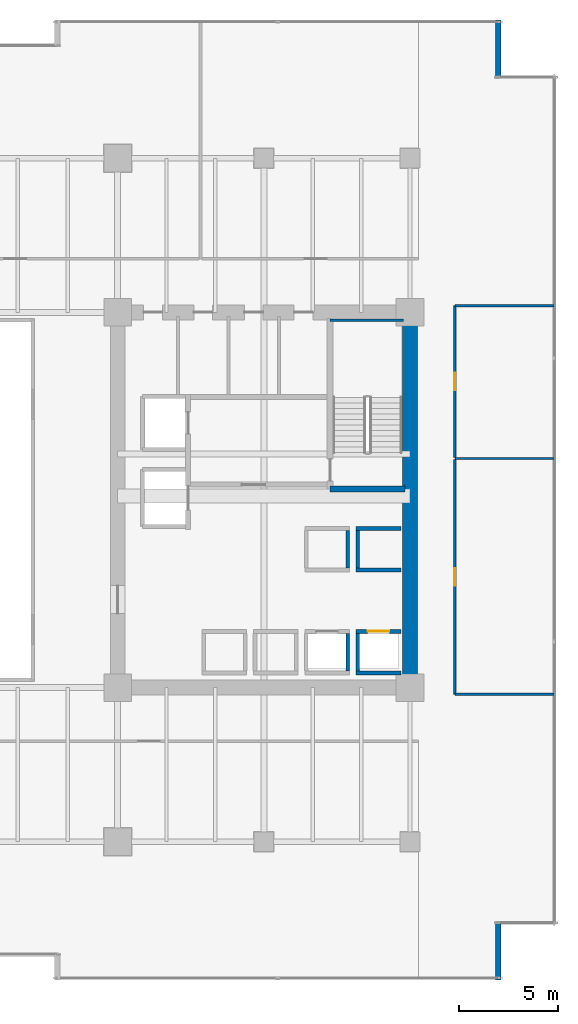
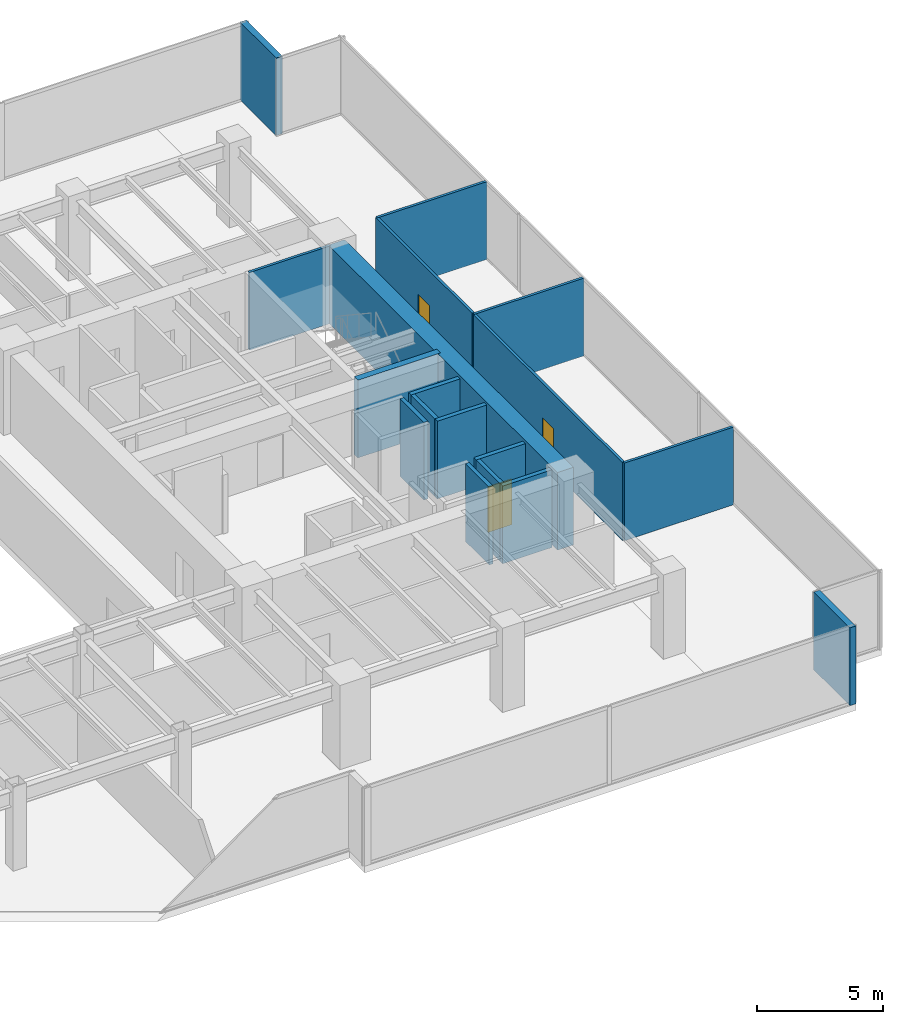
# One storey, part 32 of 36: 18 walls, 3 doors, 3 openings.
"""IFC4 building model written with IfcOpenShell, lengths in metres."""

from ifc_helpers import new_model, si_unit, direction, frame, frame_2d, origin, place, context, subcontext, project, spatial, rectangle, extrude, source, transform, mapped, material, layer, layer_set, type_object, type_shapes, element, fill, save


model = new_model("IFC4")

# Units and contexts
model_context = context("Model", 3, precision=1e-05, world=origin(), true_north=direction((0.0, 1.0)))
body_context = subcontext(model_context, "Body", "Model", "MODEL_VIEW")
ifc_project = project(units=[si_unit("LENGTHUNIT", "METRE"), si_unit("AREAUNIT", "SQUARE_METRE"), si_unit("VOLUMEUNIT", "CUBIC_METRE"), si_unit("PLANEANGLEUNIT", "RADIAN"), si_unit("MASSUNIT", "GRAM", prefix="KILO")], contexts=[model_context])

# Site, building, storey
site_placement = place(None, origin())
site = spatial("IfcSite", under=ifc_project, at=site_placement, CompositionType="ELEMENT")
building_placement = place(site_placement, origin())
building = spatial("IfcBuilding", under=site, at=building_placement, Name="Haelvirn Gate Laboratories", CompositionType="ELEMENT")
storey_placement = place(building_placement, frame((0.0, 0.0, 49.800048828125)))
storey = spatial("IfcBuildingStorey", under=building, at=storey_placement, Name="L12", CompositionType="ELEMENT", Elevation=49.800048828125)

# Walls
ifc_material_1 = material(Name="Thermally-broken bronze aluminium rainscreen & mineral wool", Category="aluminium")
ifc_layer_1 = layer(ifc_material_1, 0.280029296875, Name="EW-TERR-280")
ifc_layer_set_1 = layer_set([ifc_layer_1], Name="Thermally-broken bronze aluminium rainscreen & mineral wool")
wall_type_1 = type_object("IfcWallType", Name="EW-TERR-280", PredefinedType="STANDARD", material=ifc_layer_set_1)
wall_1_placement = place(storey_placement, frame((71.860107421875, 0.0, 0.0), z_axis=(0.0, 0.0, 1.0), x_axis=(0.0, 1.0, 0.0)))
element("IfcWall", 1, at=wall_1_placement, inside=storey, type_object=wall_type_1, Name="L12 Atrium Recess Bronze Return Wall 05", PredefinedType="STANDARD", context=body_context, shape_type="SweptSolid", body=[
    extrude(rectangle(XDim=2.887939453125, YDim=0.280029296875, at=frame_2d((1.44384765625, 0.0))), origin(), (0.0, 0.0, 1.0), 3.780029296875),
])
wall_2_placement = place(storey_placement, frame((71.860107421875, 45.7119140625, 0.0), z_axis=(0.0, 0.0, 1.0), x_axis=(0.0, 1.0, 0.0)))
element("IfcWall", 2, at=wall_2_placement, inside=storey, type_object=wall_type_1, Name="L12 Atrium Recess Bronze Return Wall 09", PredefinedType="STANDARD", context=body_context, shape_type="SweptSolid", body=[
    extrude(rectangle(XDim=2.88818359375, YDim=0.280029296875, at=frame_2d((1.444091796875, 0.0))), origin(), (0.0, 0.0, 1.0), 3.780029296875),
])
ifc_material_2 = material(Name="Lightweight acoustic gypsum board partition", Category="gypsum")
ifc_layer_2 = layer(ifc_material_2, 0.1201171875, Name="IW-PART-120")
ifc_layer_set_2 = layer_set([ifc_layer_2], Name="Lightweight acoustic gypsum board partition")
wall_type_2 = type_object("IfcWallType", Name="IW-PART-120", PredefinedType="PARTITIONING", material=ifc_layer_set_2)
for number, where, z_axis, x_axis, name in (
    (3, (69.669921875, 14.465087890625, 0.0), (0.0, 0.0, 1.0), (1.0, 0.0, 0.0), "L12 Interior Wall IW-L12-ECAP-S"),
    (4, (69.669921875, 34.135009765625, 0.0), (0.0, 0.0, 1.0), (1.0, 0.0, 0.0), "L12 Interior Wall IW-L12-ECAP-N"),
):
    element("IfcWall", number, at=place(storey_placement, frame(where, z_axis=z_axis, x_axis=x_axis)), inside=storey, type_object=wall_type_2, Name=name, PredefinedType="PARTITIONING", context=body_context, shape_type="SweptSolid", body=[
        extrude(rectangle(XDim=5.02001953125, YDim=0.1201171875, at=frame_2d((2.510009765625, 0.0))), origin(), (0.0, 0.0, 1.0), 3.780029296875),
    ])

# Wall, opening, door
wall_3_placement = place(storey_placement, frame((69.669921875, 14.465087890625, 0.0), z_axis=(0.0, 0.0, 1.0), x_axis=(0.0, 1.0, 0.0)))
wall_3 = element("IfcWall", 5, at=wall_3_placement, inside=storey, type_object=wall_type_2, Name="L12 Interior Wall IW-L12-EPASS-01", PredefinedType="PARTITIONING", context=body_context, shape_type="SweptSolid", body=[
    extrude(rectangle(XDim=11.875, YDim=0.1201171875, at=frame_2d((5.9375, 0.0))), origin(), (0.0, 0.0, 1.0), 3.780029296875),
])
opening_1_placement = place(wall_3_placement, frame((5.487548828125, 0.0, 0.0)))
opening_1 = element("IfcOpeningElement", 6, at=opening_1_placement, cuts=wall_3, Name="Opening D4", PredefinedType="OPENING", context=body_context, shape_type="SweptSolid", body=[
    extrude(rectangle(XDim=0.89990234375, YDim=2.10009765625, at=frame_2d((0.449951171875, 1.050048828125))), frame((0.0, 0.070068359375, 0.0), z_axis=(0.0, -1.0, 0.0), x_axis=(1.0, 0.0, 0.0)), (0.0, 0.0, 1.0), 0.14013671875),
])
ifc_material_3 = material(Name="Glazed aluminium-framed write-up door", Category="aluminium")
door_type_1 = type_object("IfcDoorType", Name="DR-OFF-900", OperationType="NOTDEFINED", PredefinedType="DOOR", material=ifc_material_3)
shared_shape_1 = source(origin(), body_context, "Body", "SweptSolid", [
    extrude(rectangle(XDim=0.89990234375, YDim=2.10009765625, at=frame_2d((0.449951171875, 1.050048828125))), frame((0.0, 0.02490234375, 0.0), z_axis=(0.0, -1.0, 0.0), x_axis=(1.0, 0.0, 0.0)), (0.0, 0.0, 1.0), 0.050048828125),
])
type_shapes(door_type_1, [shared_shape_1])
door_1_placement = place(opening_1_placement, origin())
door_1 = element("IfcDoor", 7, at=door_1_placement, inside=storey, type_object=door_type_1, Name="L12 Proteomics Mass-Spec Laboratory Door E1", OperationType="SINGLE_SWING_LEFT", OverallHeight=2.10009765625, OverallWidth=0.89990234375, PredefinedType="DOOR", context=body_context, shape_type="MappedRepresentation", body=[
    mapped(shared_shape_1, transform((0.0, 0.0, 0.0), scale=1.0)),
])
fill(opening_1, door_1)

# Wall
wall_4_placement = place(storey_placement, frame((69.669921875, 26.39990234375, 0.0), z_axis=(0.0, 0.0, 1.0), x_axis=(1.0, 0.0, 0.0)))
element("IfcWall", 8, at=wall_4_placement, inside=storey, type_object=wall_type_2, Name="L12 Interior Wall IW-L12-EDIV-01", PredefinedType="PARTITIONING", context=body_context, shape_type="SweptSolid", body=[
    extrude(rectangle(XDim=5.02001953125, YDim=0.1201171875, at=frame_2d((2.510009765625, 0.0))), origin(), (0.0, 0.0, 1.0), 3.780029296875),
])

# Wall, opening, door
wall_5_placement = place(storey_placement, frame((69.669921875, 26.4599609375, 0.0), z_axis=(0.0, 0.0, 1.0), x_axis=(0.0, 1.0, 0.0)))
wall_5 = element("IfcWall", 9, at=wall_5_placement, inside=storey, type_object=wall_type_2, Name="L12 Interior Wall IW-L12-EPASS-02", PredefinedType="PARTITIONING", context=body_context, shape_type="SweptSolid", body=[
    extrude(rectangle(XDim=7.675048828125, YDim=0.1201171875, at=frame_2d((3.83740234375, 0.0))), origin(), (0.0, 0.0, 1.0), 3.780029296875),
])
opening_2_placement = place(wall_5_placement, frame((3.387451171875, 0.0, 0.0)))
opening_2 = element("IfcOpeningElement", 10, at=opening_2_placement, cuts=wall_5, Name="Opening D4", PredefinedType="OPENING", context=body_context, shape_type="SweptSolid", body=[
    extrude(rectangle(XDim=0.89990234375, YDim=2.10009765625, at=frame_2d((0.449951171875, 1.050048828125))), frame((0.0, 0.070068359375, 0.0), z_axis=(0.0, -1.0, 0.0), x_axis=(1.0, 0.0, 0.0)), (0.0, 0.0, 1.0), 0.14013671875),
])
door_2_placement = place(opening_2_placement, origin())
door_2 = element("IfcDoor", 11, at=door_2_placement, inside=storey, type_object=door_type_1, Name="L12 Chemical Synthesis Laboratory Door E2", OperationType="SINGLE_SWING_RIGHT", OverallHeight=2.10009765625, OverallWidth=0.89990234375, PredefinedType="DOOR", context=body_context, shape_type="MappedRepresentation", body=[
    mapped(shared_shape_1, transform((0.0, 0.0, 0.0), scale=1.0)),
])
fill(opening_2, door_2)

# Walls
ifc_material_4 = material(Name="Concrete C40/50", Category="concrete")
ifc_layer_3 = layer(ifc_material_4, 0.179931640625, Name="IW-SHAFT-180")
ifc_layer_set_3 = layer_set([ifc_layer_3], Name="Concrete C40/50")
wall_type_3 = type_object("IfcWallType", Name="IW-SHAFT-180", PredefinedType="SOLIDWALL", material=ifc_layer_set_3)
for number, where, z_axis, x_axis, name in (
    (12, (64.75, 15.64990234375, 0.0), (0.0, 0.0, 1.0), (0.0, 1.0, 0.0), "L12 Interior Wall IW-L12-PL3-SD"),
    (13, (64.25, 15.64990234375, 0.0), (0.0, 0.0, 1.0), (0.0, 1.0, 0.0), "L12 Interior Wall IW-L12-PL4-SDE"),
):
    element("IfcWall", number, at=place(storey_placement, frame(where, z_axis=z_axis, x_axis=x_axis)), inside=storey, type_object=wall_type_3, Name=name, PredefinedType="SOLIDWALL", context=body_context, shape_type="SweptSolid", body=[
        extrude(rectangle(XDim=1.900146484375, YDim=0.179931640625, at=frame_2d((0.9501953125, 0.0))), origin(), (0.0, 0.0, 1.0), 3.780029296875),
    ])
for number, where, z_axis, x_axis, name in (
    (14, (64.75, 20.85009765625, 0.0), (0.0, 0.0, 1.0), (0.0, 1.0, 0.0), "L12 Interior Wall IW-L12-PL11-SD"),
    (15, (64.25, 20.85009765625, 0.0), (0.0, 0.0, 1.0), (0.0, 1.0, 0.0), "L12 Interior Wall IW-L12-PL12-SDE"),
):
    element("IfcWall", number, at=place(storey_placement, frame(where, z_axis=z_axis, x_axis=x_axis)), inside=storey, type_object=wall_type_3, Name=name, PredefinedType="SOLIDWALL", context=body_context, shape_type="SweptSolid", body=[
        extrude(rectangle(XDim=1.89990234375, YDim=0.179931640625, at=frame_2d((0.949951171875, 0.0))), origin(), (0.0, 0.0, 1.0), 3.780029296875),
    ])

# Wall, opening, door
ifc_layer_4 = layer(ifc_material_4, 0.199951171875, Name="IW-SHAFT-200")
ifc_layer_set_4 = layer_set([ifc_layer_4], Name="Concrete C40/50")
wall_type_4 = type_object("IfcWallType", Name="IW-SHAFT-200", PredefinedType="SOLIDWALL", material=ifc_layer_set_4)
wall_6_placement = place(storey_placement, frame((64.669921875, 17.64990234375, 0.0), z_axis=(0.0, 0.0, 1.0), x_axis=(1.0, 0.0, 0.0)))
wall_6 = element("IfcWall", 16, at=wall_6_placement, inside=storey, type_object=wall_type_4, Name="L12 Interior Wall IW-L12-PL3-FR", PredefinedType="SOLIDWALL", context=body_context, shape_type="SweptSolid", body=[
    extrude(rectangle(XDim=2.260009765625, YDim=0.199951171875, at=frame_2d((1.1298828125, 0.0))), origin(), (0.0, 0.0, 1.0), 3.780029296875),
])
opening_3_placement = place(wall_6_placement, frame((0.580078125, 0.0, 0.0)))
opening_3 = element("IfcOpeningElement", 17, at=opening_3_placement, cuts=wall_6, Name="Opening LD2", PredefinedType="OPENING", context=body_context, shape_type="SweptSolid", body=[
    extrude(rectangle(XDim=1.10009765625, YDim=2.219970703125, at=frame_2d((0.550048828125, 1.10986328125))), frame((0.0, 0.10986328125, 0.0), z_axis=(0.0, -1.0, 0.0), x_axis=(1.0, 0.0, 0.0)), (0.0, 0.0, 1.0), 0.219970703125),
])
ifc_material_5 = material(Name="Bronze stainless 316L sliding lift landing door")
door_type_2 = type_object("IfcDoorType", Name="DR-LD-1100", OperationType="NOTDEFINED", PredefinedType="USERDEFINED", material=ifc_material_5)
shared_shape_2 = source(origin(), body_context, "Body", "SweptSolid", [
    extrude(rectangle(XDim=1.10009765625, YDim=2.219970703125, at=frame_2d((0.550048828125, 1.10986328125))), frame((0.0, 0.02490234375, 0.0), z_axis=(0.0, -1.0, 0.0), x_axis=(1.0, 0.0, 0.0)), (0.0, 0.0, 1.0), 0.050048828125),
])
type_shapes(door_type_2, [shared_shape_2])
door_3_placement = place(opening_3_placement, origin())
door_3 = element("IfcDoor", 18, at=door_3_placement, inside=storey, type_object=door_type_2, Name="L12 Passenger Lift PL3 Landing Door", ObjectType="LANDING_DOOR", OperationType="SLIDING_TO_LEFT", OverallHeight=2.219970703125, OverallWidth=1.10009765625, PredefinedType="USERDEFINED", context=body_context, shape_type="MappedRepresentation", body=[
    mapped(shared_shape_2, transform((0.0, 0.0, 0.0), scale=1.0)),
])
fill(opening_3, door_3)

# Walls
for number, where, z_axis, x_axis, name in (
    (19, (64.669921875, 15.550048828125, 0.0), (0.0, 0.0, 1.0), (1.0, 0.0, 0.0), "L12 Interior Wall IW-L12-PL3-BK"),
    (20, (64.669921875, 20.75, 0.0), (0.0, 0.0, 1.0), (1.0, 0.0, 0.0), "L12 Interior Wall IW-L12-PL11-FR"),
    (21, (64.669921875, 22.85009765625, 0.0), (0.0, 0.0, 1.0), (1.0, 0.0, 0.0), "L12 Interior Wall IW-L12-PL11-BK"),
):
    element("IfcWall", number, at=place(storey_placement, frame(where, z_axis=z_axis, x_axis=x_axis)), inside=storey, type_object=wall_type_4, Name=name, PredefinedType="SOLIDWALL", context=body_context, shape_type="SweptSolid", body=[
        extrude(rectangle(XDim=2.260009765625, YDim=0.199951171875, at=frame_2d((1.1298828125, 0.0))), origin(), (0.0, 0.0, 1.0), 3.780029296875),
    ])
ifc_material_6 = material(Name="Concrete C70/85", Category="concrete")
ifc_layer_5 = layer(ifc_material_6, 0.75, Name="SW-CORE-750")
ifc_layer_set_5 = layer_set([ifc_layer_5], Name="Concrete C70/85")
wall_type_5 = type_object("IfcWallType", Name="SW-CORE-750", PredefinedType="SHEAR", material=ifc_layer_set_5)
wall_7_placement = place(storey_placement, frame((67.39990234375, 15.175048828125, 0.0), z_axis=(0.0, 0.0, 1.0), x_axis=(0.0, 1.0, 0.0)))
element("IfcWall", 22, at=wall_7_placement, inside=storey, type_object=wall_type_5, Name="L12 E Core Shear Wall E", PredefinedType="SHEAR", context=body_context, shape_type="SweptSolid", body=[
    extrude(rectangle(XDim=18.25, YDim=0.75, at=frame_2d((9.125, 0.0))), origin(), (0.0, 0.0, 1.0), 3.780029296875),
])
ifc_material_7 = material(Name="Concrete C50/60", Category="concrete")
ifc_layer_6 = layer(ifc_material_7, 0.1201171875, Name="SW-LINER-120")
ifc_layer_set_6 = layer_set([ifc_layer_6], Name="Concrete C50/60")
wall_type_6 = type_object("IfcWallType", Name="SW-LINER-120", PredefinedType="SOLIDWALL", material=ifc_layer_set_6)
wall_8_placement = place(storey_placement, frame((63.35009765625, 33.39990234375, 0.0), z_axis=(0.0, 0.0, 1.0), x_axis=(1.0, 0.0, 0.0)))
element("IfcWall", 23, at=wall_8_placement, inside=storey, type_object=wall_type_6, Name="L12 E Core Stair Shaft Liner Wall N", PredefinedType="SOLIDWALL", context=body_context, shape_type="SweptSolid", body=[
    extrude(rectangle(XDim=3.719970703125, YDim=0.1201171875, at=frame_2d((1.85986328125, 0.0))), origin(), (0.0, 0.0, 1.0), 3.780029296875),
])
ifc_layer_7 = layer(ifc_material_7, 0.300048828125, Name="SW-STAIR-300")
ifc_layer_set_7 = layer_set([ifc_layer_7], Name="Concrete C50/60")
wall_type_7 = type_object("IfcWallType", Name="SW-STAIR-300", PredefinedType="SHEAR", material=ifc_layer_set_7)
wall_9_placement = place(storey_placement, frame((63.35009765625, 24.85009765625, 0.0), z_axis=(0.0, 0.0, 1.0), x_axis=(1.0, 0.0, 0.0)))
element("IfcWall", 24, at=wall_9_placement, inside=storey, type_object=wall_type_7, Name="L12 E Core Stair Shaft Structural Wall S", PredefinedType="SHEAR", context=body_context, shape_type="SweptSolid", body=[
    extrude(rectangle(XDim=3.7998046875, YDim=0.300048828125, at=frame_2d((1.89990234375, 0.0))), origin(), (0.0, 0.0, 1.0), 3.780029296875),
])

save(model, "model.ifc")
